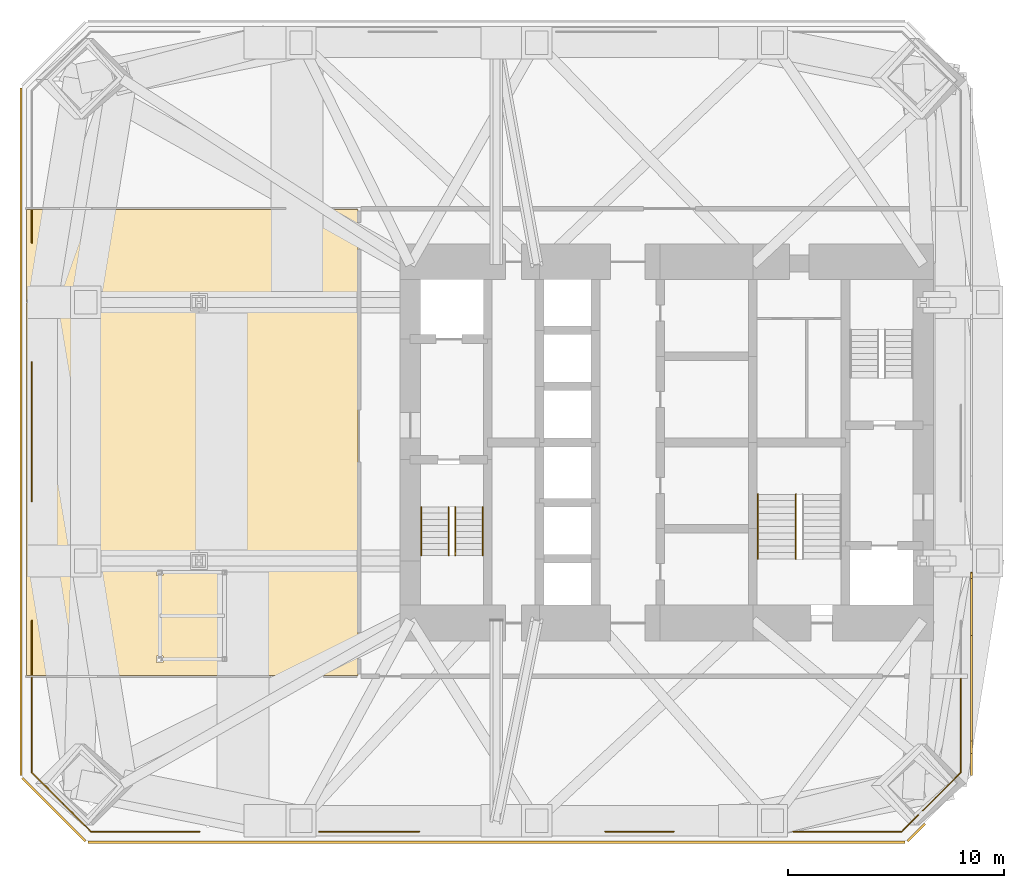
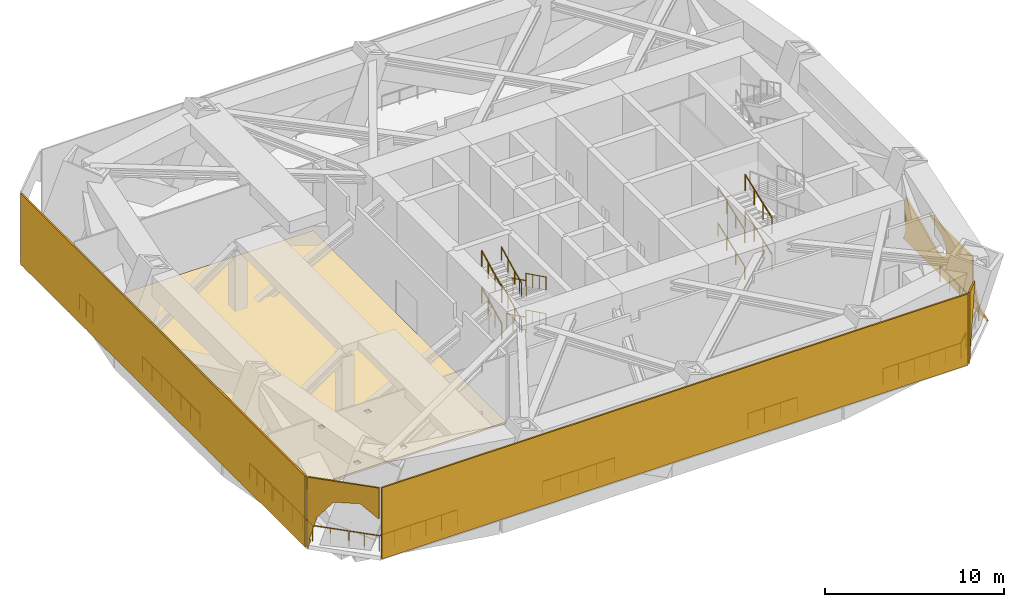
# One storey, part 7 of 8: 25 railings, 5 shading devices, 1 covering.
"""IFC4 building model written with IfcOpenShell, lengths in metres."""

from ifc_helpers import new_model, si_unit, direction, frame, origin, origin_2d, place, context, subcontext, project, spatial, polyline, rectangle, circle, outline, extrude, material, layer, layer_set, constituent, constituent_set, type_object, element, save


model = new_model("IFC4")

# Units and contexts
model_context = context("Model", 3, precision=1e-05, world=origin(), true_north=direction((0.0, 1.0)))
body_context = subcontext(model_context, "Body", "Model", "MODEL_VIEW")
ifc_project = project(units=[si_unit("LENGTHUNIT", "METRE"), si_unit("AREAUNIT", "SQUARE_METRE"), si_unit("VOLUMEUNIT", "CUBIC_METRE"), si_unit("PLANEANGLEUNIT", "RADIAN"), si_unit("MASSUNIT", "GRAM", prefix="KILO")], contexts=[model_context])

# Site, building, storey
site_placement = place(None, origin())
site = spatial("IfcSite", under=ifc_project, at=site_placement, CompositionType="ELEMENT")
building_placement = place(site_placement, origin())
building = spatial("IfcBuilding", under=site, at=building_placement, Name="Jalousie Tower", CompositionType="ELEMENT")
storey_placement = place(building_placement, frame((0.0, 0.0, 74.75)))
storey = spatial("IfcBuildingStorey", under=building, at=storey_placement, Name="L20", CompositionType="ELEMENT", Elevation=74.75)

# Covering
ifc_material_1 = material(Name="Sand-cement screed on resilient layer", Category="concrete")
ifc_layer_1 = layer(ifc_material_1, 0.1201171875)
ifc_layer_set_1 = layer_set([ifc_layer_1], Name="Sand-cement screed on resilient layer")
covering_type = type_object("IfcCoveringType", Name="FLOATING PLANT SCREED 120", PredefinedType="FLOORING", material=ifc_layer_set_1)
covering_placement = place(storey_placement, origin())
element("IfcCovering", 1, at=covering_placement, inside=storey, type_object=covering_type, Name="Floating screed Electrical plant room", PredefinedType="FLOORING", context=body_context, shape_type="SweptSolid", body=[
    extrude(outline(polyline([(17.574951171875, 7.699951171875), (2.199951171875, 7.699951171875), (2.199951171875, 29.300048828125), (17.574951171875, 29.300048828125), (17.574951171875, 7.699951171875)]), holes=[polyline([(8.237548828125, 8.300048828125), (8.53759765625, 8.300048828125), (8.53759765625, 8.60009765625), (8.237548828125, 8.60009765625), (8.237548828125, 8.300048828125)]), polyline([(11.237548828125, 8.300048828125), (11.53759765625, 8.300048828125), (11.53759765625, 8.60009765625), (11.237548828125, 8.60009765625), (11.237548828125, 8.300048828125)]), polyline([(8.237548828125, 12.320068359375), (8.53759765625, 12.320068359375), (8.53759765625, 12.6201171875), (8.237548828125, 12.6201171875), (8.237548828125, 12.320068359375)]), polyline([(11.237548828125, 12.320068359375), (11.53759765625, 12.320068359375), (11.53759765625, 12.6201171875), (11.237548828125, 12.6201171875), (11.237548828125, 12.320068359375)])]), origin(), (0.0, 0.0, 1.0), 0.1201171875),
])

# Railings
ifc_material_2 = material(Name="Stainless steel AISI 316", Category="steel")
railing_type_1 = type_object("IfcRailingType", Name="PLANT GUARDRAIL 1100", PredefinedType="GUARDRAIL", material=ifc_material_2)
railing_1_placement = place(storey_placement, frame((3.914794921875, 1.7216796875, 0.0)))
element("IfcRailing", 2, at=railing_1_placement, inside=storey, type_object=railing_type_1, Name="Plant floor guard L20 1", PredefinedType="GUARDRAIL", context=body_context, shape_type="SweptSolid", body=[
    extrude(rectangle(XDim=0.048095703125, YDim=0.048095703125, at=origin_2d()), frame((0.0, 0.0, 1.076171875), z_axis=(-0.707165709207, 0.707047848255, 0.0), x_axis=(-0.707047848255, -0.707165709207, 0.0)), (0.0, 0.0, 1.0), 2.071533203125),
    extrude(circle(Radius=0.02099609375, at=origin_2d()), origin(), (0.0, 0.0, 1.0), 1.052001953125),
    extrude(circle(Radius=0.02099609375, at=origin_2d()), frame((-0.732421875, 0.732421875, 0.0)), (0.0, 0.0, 1.0), 1.052001953125),
    extrude(circle(Radius=0.02099609375, at=origin_2d()), frame((-1.46484375, 1.464599609375, 0.0)), (0.0, 0.0, 1.0), 1.052001953125),
])
railing_2_placement = place(storey_placement, frame((5.186279296875, 0.449951171875, 0.0)))
element("IfcRailing", 3, at=railing_2_placement, inside=storey, type_object=railing_type_1, Name="Plant floor guard L20 2", PredefinedType="GUARDRAIL", context=body_context, shape_type="SweptSolid", body=[
    extrude(rectangle(XDim=0.048095703125, YDim=0.048095703125, at=origin_2d()), frame((0.0, 0.0, 1.076171875), z_axis=(-0.707106781187, 0.707106781187, 0.0), x_axis=(-0.707106781187, -0.707106781187, 0.0)), (0.0, 0.0, 1.0), 1.741455078125),
    extrude(circle(Radius=0.02099609375, at=origin_2d()), origin(), (0.0, 0.0, 1.0), 1.052001953125),
    extrude(circle(Radius=0.02099609375, at=origin_2d()), frame((-0.61572265625, 0.61572265625, 0.0)), (0.0, 0.0, 1.0), 1.052001953125),
    extrude(circle(Radius=0.02099609375, at=origin_2d()), frame((-1.2314453125, 1.2314453125, 0.0)), (0.0, 0.0, 1.0), 1.052001953125),
])
railing_3_placement = place(storey_placement, frame((2.449951171875, 3.186279296875, 0.0)))
element("IfcRailing", 4, at=railing_3_placement, inside=storey, type_object=railing_type_1, Name="Plant floor guard L20 3", PredefinedType="GUARDRAIL", context=body_context, shape_type="SweptSolid", body=[
    extrude(rectangle(XDim=0.048095703125, YDim=0.048095703125, at=origin_2d()), frame((0.0, 0.0, 1.076171875), z_axis=(0.0, 1.0, 0.0), x_axis=(-1.0, 0.0, 0.0)), (0.0, 0.0, 1.0), 4.393798828125),
    extrude(circle(Radius=0.02099609375, at=origin_2d()), origin(), (0.0, 0.0, 1.0), 1.052001953125),
    extrude(circle(Radius=0.02099609375, at=origin_2d()), frame((0.0, 1.098388671875, 0.0)), (0.0, 0.0, 1.0), 1.052001953125),
    extrude(circle(Radius=0.02099609375, at=origin_2d()), frame((0.0, 2.19677734375, 0.0)), (0.0, 0.0, 1.0), 1.052001953125),
    extrude(circle(Radius=0.02099609375, at=origin_2d()), frame((0.0, 3.29541015625, 0.0)), (0.0, 0.0, 1.0), 1.052001953125),
    extrude(circle(Radius=0.02099609375, at=origin_2d()), frame((0.0, 4.393798828125, 0.0)), (0.0, 0.0, 1.0), 1.052001953125),
])
railing_4_placement = place(storey_placement, frame((2.449951171875, 7.719970703125, 0.0)))
element("IfcRailing", 5, at=railing_4_placement, inside=storey, type_object=railing_type_1, Name="Plant floor guard L20 4", PredefinedType="GUARDRAIL", context=body_context, shape_type="SweptSolid", body=[
    extrude(rectangle(XDim=0.048095703125, YDim=0.048095703125, at=origin_2d()), frame((0.0, 0.0, 1.076171875), z_axis=(0.0, 1.0, 0.0), x_axis=(-1.0, 0.0, 0.0)), (0.0, 0.0, 1.0), 2.510009765625),
    extrude(circle(Radius=0.02099609375, at=origin_2d()), origin(), (0.0, 0.0, 1.0), 1.052001953125),
    extrude(circle(Radius=0.02099609375, at=origin_2d()), frame((0.0, 0.836669921875, 0.0)), (0.0, 0.0, 1.0), 1.052001953125),
    extrude(circle(Radius=0.02099609375, at=origin_2d()), frame((0.0, 1.67333984375, 0.0)), (0.0, 0.0, 1.0), 1.052001953125),
    extrude(circle(Radius=0.02099609375, at=origin_2d()), frame((0.0, 2.510009765625, 0.0)), (0.0, 0.0, 1.0), 1.052001953125),
])
railing_5_placement = place(storey_placement, frame((2.449951171875, 15.77001953125, 0.0)))
element("IfcRailing", 6, at=railing_5_placement, inside=storey, type_object=railing_type_1, Name="Plant floor guard L20 5", PredefinedType="GUARDRAIL", context=body_context, shape_type="SweptSolid", body=[
    extrude(rectangle(XDim=0.048095703125, YDim=0.048095703125, at=origin_2d()), frame((0.0, 0.0, 1.076171875), z_axis=(0.0, 1.0, 0.0), x_axis=(-1.0, 0.0, 0.0)), (0.0, 0.0, 1.0), 6.4599609375),
    extrude(circle(Radius=0.02099609375, at=origin_2d()), origin(), (0.0, 0.0, 1.0), 1.052001953125),
    extrude(circle(Radius=0.02099609375, at=origin_2d()), frame((0.0, 1.07666015625, 0.0)), (0.0, 0.0, 1.0), 1.052001953125),
    extrude(circle(Radius=0.02099609375, at=origin_2d()), frame((0.0, 2.1533203125, 0.0)), (0.0, 0.0, 1.0), 1.052001953125),
    extrude(circle(Radius=0.02099609375, at=origin_2d()), frame((0.0, 3.22998046875, 0.0)), (0.0, 0.0, 1.0), 1.052001953125),
    extrude(circle(Radius=0.02099609375, at=origin_2d()), frame((0.0, 4.306640625, 0.0)), (0.0, 0.0, 1.0), 1.052001953125),
    extrude(circle(Radius=0.02099609375, at=origin_2d()), frame((0.0, 5.38330078125, 0.0)), (0.0, 0.0, 1.0), 1.052001953125),
    extrude(circle(Radius=0.02099609375, at=origin_2d()), frame((0.0, 6.4599609375, 0.0)), (0.0, 0.0, 1.0), 1.052001953125),
])
railing_6_placement = place(storey_placement, frame((2.449951171875, 27.77001953125, 0.0)))
element("IfcRailing", 7, at=railing_6_placement, inside=storey, type_object=railing_type_1, Name="Plant floor guard L20 6", PredefinedType="GUARDRAIL", context=body_context, shape_type="SweptSolid", body=[
    extrude(rectangle(XDim=0.048095703125, YDim=0.048095703125, at=origin_2d()), frame((0.0, 0.0, 1.076171875), z_axis=(0.0, 1.0, 0.0), x_axis=(-1.0, 0.0, 0.0)), (0.0, 0.0, 1.0), 1.510009765625),
    extrude(circle(Radius=0.02099609375, at=origin_2d()), origin(), (0.0, 0.0, 1.0), 1.052001953125),
    extrude(circle(Radius=0.02099609375, at=origin_2d()), frame((0.0, 0.7548828125, 0.0)), (0.0, 0.0, 1.0), 1.052001953125),
    extrude(circle(Radius=0.02099609375, at=origin_2d()), frame((0.0, 1.510009765625, 0.0)), (0.0, 0.0, 1.0), 1.052001953125),
])
railing_7_placement = place(storey_placement, frame((45.550048828125, 7.530029296875, 0.0)))
element("IfcRailing", 8, at=railing_7_placement, inside=storey, type_object=railing_type_1, Name="Plant floor guard L20 16", PredefinedType="GUARDRAIL", context=body_context, shape_type="SweptSolid", body=[
    extrude(rectangle(XDim=0.048095703125, YDim=0.048095703125, at=origin_2d()), frame((0.0, 0.0, 1.076171875), z_axis=(0.0, -1.0, 0.0), x_axis=(1.0, 0.0, 0.0)), (0.0, 0.0, 1.0), 4.34375),
    extrude(circle(Radius=0.02099609375, at=origin_2d()), origin(), (0.0, 0.0, 1.0), 1.052001953125),
    extrude(circle(Radius=0.02099609375, at=origin_2d()), frame((0.0, -1.0859375, 0.0)), (0.0, 0.0, 1.0), 1.052001953125),
    extrude(circle(Radius=0.02099609375, at=origin_2d()), frame((0.0, -2.171875, 0.0)), (0.0, 0.0, 1.0), 1.052001953125),
    extrude(circle(Radius=0.02099609375, at=origin_2d()), frame((0.0, -3.2578125, 0.0)), (0.0, 0.0, 1.0), 1.052001953125),
    extrude(circle(Radius=0.02099609375, at=origin_2d()), frame((0.0, -4.34375, 0.0)), (0.0, 0.0, 1.0), 1.052001953125),
])
railing_8_placement = place(storey_placement, frame((43.574951171875, 1.21142578125, 0.0)))
element("IfcRailing", 9, at=railing_8_placement, inside=storey, type_object=railing_type_1, Name="Plant floor guard L20 20", PredefinedType="GUARDRAIL", context=body_context, shape_type="SweptSolid", body=[
    extrude(rectangle(XDim=0.048095703125, YDim=0.048095703125, at=origin_2d()), frame((0.0, 0.0, 1.076171875), z_axis=(-0.706993399199, -0.707220144997, 0.0), x_axis=(0.707220144997, -0.706993399199, 0.0)), (0.0, 0.0, 1.0), 1.07666015625),
    extrude(circle(Radius=0.02099609375, at=origin_2d()), origin(), (0.0, 0.0, 1.0), 1.052001953125),
    extrude(circle(Radius=0.02099609375, at=origin_2d()), frame((-0.76123046875, -0.761474609375, 0.0)), (0.0, 0.0, 1.0), 1.052001953125),
])
railing_9_placement = place(storey_placement, frame((45.550048828125, 3.186279296875, 0.0)))
element("IfcRailing", 10, at=railing_9_placement, inside=storey, type_object=railing_type_1, Name="Plant floor guard L20 21", PredefinedType="GUARDRAIL", context=body_context, shape_type="SweptSolid", body=[
    extrude(rectangle(XDim=0.048095703125, YDim=0.048095703125, at=origin_2d()), frame((0.0, 0.0, 1.076171875), z_axis=(-0.70715585345, -0.707057705517, 0.0), x_axis=(0.707057705517, -0.70715585345, 0.0)), (0.0, 0.0, 1.0), 2.487548828125),
    extrude(circle(Radius=0.02099609375, at=origin_2d()), origin(), (0.0, 0.0, 1.0), 1.052001953125),
    extrude(circle(Radius=0.02099609375, at=origin_2d()), frame((-0.58642578125, -0.586181640625, 0.0)), (0.0, 0.0, 1.0), 1.052001953125),
    extrude(circle(Radius=0.02099609375, at=origin_2d()), frame((-1.172607421875, -1.172607421875, 0.0)), (0.0, 0.0, 1.0), 1.052001953125),
    extrude(circle(Radius=0.02099609375, at=origin_2d()), frame((-1.759033203125, -1.7587890625, 0.0)), (0.0, 0.0, 1.0), 1.052001953125),
])
railing_10_placement = place(storey_placement, frame((10.22998046875, 0.449951171875, 0.0)))
element("IfcRailing", 11, at=railing_10_placement, inside=storey, type_object=railing_type_1, Name="Plant floor guard L20 22", PredefinedType="GUARDRAIL", context=body_context, shape_type="SweptSolid", body=[
    extrude(rectangle(XDim=0.048095703125, YDim=0.048095703125, at=origin_2d()), frame((0.0, 0.0, 1.076171875), z_axis=(-1.0, 0.0, 0.0), x_axis=(0.0, -1.0, 0.0)), (0.0, 0.0, 1.0), 5.043701171875),
    extrude(circle(Radius=0.02099609375, at=origin_2d()), origin(), (0.0, 0.0, 1.0), 1.052001953125),
    extrude(circle(Radius=0.02099609375, at=origin_2d()), frame((-1.0087890625, 0.0, 0.0)), (0.0, 0.0, 1.0), 1.052001953125),
    extrude(circle(Radius=0.02099609375, at=origin_2d()), frame((-2.017578125, 0.0, 0.0)), (0.0, 0.0, 1.0), 1.052001953125),
    extrude(circle(Radius=0.02099609375, at=origin_2d()), frame((-3.026123046875, 0.0, 0.0)), (0.0, 0.0, 1.0), 1.052001953125),
    extrude(circle(Radius=0.02099609375, at=origin_2d()), frame((-4.034912109375, 0.0, 0.0)), (0.0, 0.0, 1.0), 1.052001953125),
    extrude(circle(Radius=0.02099609375, at=origin_2d()), frame((-5.043701171875, 0.0, 0.0)), (0.0, 0.0, 1.0), 1.052001953125),
])
railing_11_placement = place(storey_placement, frame((20.427978515625, 0.449951171875, 0.0)))
element("IfcRailing", 12, at=railing_11_placement, inside=storey, type_object=railing_type_1, Name="Plant floor guard L20 23", PredefinedType="GUARDRAIL", context=body_context, shape_type="SweptSolid", body=[
    extrude(rectangle(XDim=0.048095703125, YDim=0.048095703125, at=origin_2d()), frame((0.0, 0.0, 1.076171875), z_axis=(-1.0, 0.0, 0.0), x_axis=(0.0, -1.0, 0.0)), (0.0, 0.0, 1.0), 4.657958984375),
    extrude(circle(Radius=0.02099609375, at=origin_2d()), origin(), (0.0, 0.0, 1.0), 1.052001953125),
    extrude(circle(Radius=0.02099609375, at=origin_2d()), frame((-1.16455078125, 0.0, 0.0)), (0.0, 0.0, 1.0), 1.052001953125),
    extrude(circle(Radius=0.02099609375, at=origin_2d()), frame((-2.3291015625, 0.0, 0.0)), (0.0, 0.0, 1.0), 1.052001953125),
    extrude(circle(Radius=0.02099609375, at=origin_2d()), frame((-3.493408203125, 0.0, 0.0)), (0.0, 0.0, 1.0), 1.052001953125),
    extrude(circle(Radius=0.02099609375, at=origin_2d()), frame((-4.657958984375, 0.0, 0.0)), (0.0, 0.0, 1.0), 1.052001953125),
])
railing_12_placement = place(storey_placement, frame((32.22998046875, 0.449951171875, 0.0)))
element("IfcRailing", 13, at=railing_12_placement, inside=storey, type_object=railing_type_1, Name="Plant floor guard L20 24", PredefinedType="GUARDRAIL", context=body_context, shape_type="SweptSolid", body=[
    extrude(rectangle(XDim=0.048095703125, YDim=0.048095703125, at=origin_2d()), frame((0.0, 0.0, 1.076171875), z_axis=(-1.0, 0.0, 0.0), x_axis=(0.0, -1.0, 0.0)), (0.0, 0.0, 1.0), 3.188232421875),
    extrude(circle(Radius=0.02099609375, at=origin_2d()), origin(), (0.0, 0.0, 1.0), 1.052001953125),
    extrude(circle(Radius=0.02099609375, at=origin_2d()), frame((-1.062744140625, 0.0, 0.0)), (0.0, 0.0, 1.0), 1.052001953125),
    extrude(circle(Radius=0.02099609375, at=origin_2d()), frame((-2.12548828125, 0.0, 0.0)), (0.0, 0.0, 1.0), 1.052001953125),
    extrude(circle(Radius=0.02099609375, at=origin_2d()), frame((-3.188232421875, 0.0, 0.0)), (0.0, 0.0, 1.0), 1.052001953125),
])
railing_13_placement = place(storey_placement, frame((42.813720703125, 0.449951171875, 0.0)))
element("IfcRailing", 14, at=railing_13_placement, inside=storey, type_object=railing_type_1, Name="Plant floor guard L20 25", PredefinedType="GUARDRAIL", context=body_context, shape_type="SweptSolid", body=[
    extrude(rectangle(XDim=0.048095703125, YDim=0.048095703125, at=origin_2d()), frame((0.0, 0.0, 1.076171875), z_axis=(-1.0, 0.0, 0.0), x_axis=(0.0, -1.0, 0.0)), (0.0, 0.0, 1.0), 5.043701171875),
    extrude(circle(Radius=0.02099609375, at=origin_2d()), origin(), (0.0, 0.0, 1.0), 1.052001953125),
    extrude(circle(Radius=0.02099609375, at=origin_2d()), frame((-1.0087890625, 0.0, 0.0)), (0.0, 0.0, 1.0), 1.052001953125),
    extrude(circle(Radius=0.02099609375, at=origin_2d()), frame((-2.017578125, 0.0, 0.0)), (0.0, 0.0, 1.0), 1.052001953125),
    extrude(circle(Radius=0.02099609375, at=origin_2d()), frame((-3.026123046875, 0.0, 0.0)), (0.0, 0.0, 1.0), 1.052001953125),
    extrude(circle(Radius=0.02099609375, at=origin_2d()), frame((-4.034912109375, 0.0, 0.0)), (0.0, 0.0, 1.0), 1.052001953125),
    extrude(circle(Radius=0.02099609375, at=origin_2d()), frame((-5.043701171875, 0.0, 0.0)), (0.0, 0.0, 1.0), 1.052001953125),
])

# Shading devices
ifc_material_3 = material(Name="Aluminium storm louvres", Category="aluminium")
ifc_layer_2 = layer(ifc_material_3, 0.10009765625)
ifc_layer_set_2 = layer_set([ifc_layer_2], Name="Aluminium storm louvres")
shading_device_type = type_object("IfcShadingDeviceType", Name="PLANT LOUVRE SCREEN", PredefinedType="JALOUSIE", material=ifc_layer_set_2)
shading_device_1_placement = place(storey_placement, frame((42.949951171875, -0.10009765625, -0.14990234375), z_axis=(0.0, -1.0, 0.0), x_axis=(0.0, 0.0, 1.0)))
element("IfcShadingDevice", 15, at=shading_device_1_placement, inside=storey, type_object=shading_device_type, Name="Plant louvre screen L20 1", PredefinedType="JALOUSIE", context=body_context, shape_type="SweptSolid", body=[
    extrude(outline(polyline([(0.0, 0.0), (4.869873046875, 0.0), (4.869873046875, 37.89990234375), (0.0, 37.89990234375), (0.0, 0.0)])), origin(), (0.0, 0.0, -1.0), 0.10009765625),
])
shading_device_2_placement = place(storey_placement, frame((43.106201171875, -0.035400390625, -0.14990234375), z_axis=(0.707117803607, -0.707095758592, -1.897769e-06), x_axis=(0.707095758593, 0.707117803608, 3e-11)))
element("IfcShadingDevice", 16, at=shading_device_2_placement, inside=storey, type_object=shading_device_type, Name="Plant louvre screen L20 2", PredefinedType="JALOUSIE", context=body_context, shape_type="SweptSolid", body=[
    extrude(outline(polyline([(0.0, 0.0), (0.04143203795511546, -6.617444900424222e-24), (0.041432037959549986, 0.1499023437497301), (0.13896996334356243, 0.3854980465466874), (0.10081795904297906, 0.6376953124988518), (1.148357985466681, 4.869873046866232), (1.4406431150611207e-10, 4.869873046866232), (0.0, 0.0)])), origin(), (0.0, 0.0, -1.0), 0.10009765625),
])
shading_device_3_placement = place(storey_placement, frame((46.10009765625, 3.050048828125, -0.14990234375), z_axis=(1.0, 0.0, 0.0), x_axis=(0.0, 1.0, 0.0)))
element("IfcShadingDevice", 17, at=shading_device_3_placement, inside=storey, type_object=shading_device_type, Name="Plant louvre screen L20 3", PredefinedType="JALOUSIE", context=body_context, shape_type="SweptSolid", body=[
    extrude(outline(polyline([(0.0, 0.0), (0.161376953125, 0.0), (0.30126953125, 0.063720703125), (0.441162109375, 0.0), (4.9111328125, 0.0), (5.05078125, 0.063720703125), (5.190673828125, 0.0), (9.43701171875, 0.0), (9.38427734375, 0.021728515625), (9.14990234375, 0.58740234375), (9.14990234375, 2.981689453125), (5.594970703125, 1.36328125), (5.021240234375, 1.343505859375), (4.6015625, 1.735107421875), (4.58154296875, 2.308837890625), (4.973388671875, 2.728515625), (6.4921875, 3.419921875), (1.611328125, 3.419921875), (1.611328125, 1.89990234375), (1.016845703125, 0.464599609375), (0.0, 0.04345703125), (0.0, 0.0)])), origin(), (0.0, 0.0, -1.0), 0.10009765625),
])
shading_device_4_placement = place(storey_placement, frame((1.89990234375, 34.949951171875, -0.14990234375), z_axis=(-1.0, 0.0, 0.0), x_axis=(0.0, -1.0, 0.0)))
element("IfcShadingDevice", 18, at=shading_device_4_placement, inside=storey, type_object=shading_device_type, Name="Plant louvre screen L20 10", PredefinedType="JALOUSIE", context=body_context, shape_type="SweptSolid", body=[
    extrude(outline(polyline([(0.0, 0.0), (0.161376953125, 0.0), (0.30126953125, 0.063720703125), (0.441162109375, 0.0), (5.360107421875, 0.0), (5.5, 0.063720703125), (5.6396484375, 0.0), (7.26025390625, 0.0), (7.39990234375, 0.063720703125), (7.539794921875, 0.0), (12.31005859375, 0.0), (12.449951171875, 0.063720703125), (12.58984375, 0.0), (16.76025390625, 0.0), (16.89990234375, 0.063720703125), (17.039794921875, 0.0), (20.61328125, 0.0), (20.7529296875, 0.063720703125), (20.892822265625, 0.0), (24.466552734375, 0.0), (24.606201171875, 0.063720703125), (24.74609375, 0.0), (27.26025390625, 0.0), (27.39990234375, 0.063720703125), (27.539794921875, 0.0), (31.458740234375, 0.0), (31.5986328125, 0.063720703125), (31.738525390625, 0.0), (31.89990234375, 0.0), (31.89990234375, 4.869873046875), (0.0, 4.869873046875), (0.0, 0.0)])), origin(), (0.0, 0.0, -1.0), 0.10009765625),
])
shading_device_5_placement = place(storey_placement, frame((1.964599609375, 2.893798828125, -0.14990234375), z_axis=(-0.707067934515, -0.707145625438, -2.0138063e-05), x_axis=(0.707145625581, -0.707067934658, 1.106e-09)))
element("IfcShadingDevice", 19, at=shading_device_5_placement, inside=storey, type_object=shading_device_type, Name="Plant louvre screen L20 11", PredefinedType="JALOUSIE", context=body_context, shape_type="SweptSolid", body=[
    extrude(outline(polyline([(0.0, 0.0), (0.04143203789762957, 0.0), (0.04143203806346656, 0.1499023437196042), (0.15174484874433183, 0.41625976206409054), (0.11790868477781648, 0.7023925745060712), (0.5422418079054896, 2.2023925742019155), (1.5050187804167452, 3.4216308586811937), (3.048016925321915, 3.6032714836443622), (4.142513258828169, 2.7390136713196083), (4.142513261185538, 4.869873045887532), (5.387541473962044e-09, 4.869873045887532), (0.0, 0.0)])), origin(), (0.0, 0.0, -1.0), 0.10009765625),
])

# Railings
ifc_material_4 = material(Name="Steel ASTM A500 Grade C", Category="steel")
ifc_constituent_1 = constituent(ifc_material_4, Name="Body")
ifc_material_5 = material(Name="Hot-dip galvanised zinc coating")
ifc_constituent_2 = constituent(ifc_material_5, Name="Finish")
ifc_constituent_set_1 = constituent_set(constituents=[ifc_constituent_1, ifc_constituent_2])
railing_type_2 = type_object("IfcRailingType", Name="STAIR GUARD 1100", PredefinedType="GUARDRAIL", material=ifc_constituent_set_1)
railing_14_placement = place(storey_placement, frame((22.092529296875, 15.49755859375, 0.138916015625)))
element("IfcRailing", 20, at=railing_14_placement, inside=storey, type_object=railing_type_2, Name="Exit stair A guard L20 flight 1", PredefinedType="GUARDRAIL", context=body_context, shape_type="SweptSolid", body=[
    extrude(rectangle(XDim=0.048095703125, YDim=0.048095703125, at=origin_2d()), frame((0.0, 0.0, 1.076171875), z_axis=(0.0, -0.895848192791, 0.444360231651), x_axis=(1.0, 0.0, 0.0)), (0.0, 0.0, 1.0), 2.50048828125),
    extrude(circle(Radius=0.02099609375, at=origin_2d()), origin(), (0.0, 0.0, 1.0), 1.052001953125),
    extrude(circle(Radius=0.02099609375, at=origin_2d()), frame((0.0, -0.74658203125, 0.370361328125)), (0.0, 0.0, 1.0), 1.052001953125),
    extrude(circle(Radius=0.02099609375, at=origin_2d()), frame((0.0, -1.493408203125, 0.74072265625)), (0.0, 0.0, 1.0), 1.052001953125),
    extrude(circle(Radius=0.02099609375, at=origin_2d()), frame((0.0, -2.239990234375, 1.111083984375)), (0.0, 0.0, 1.0), 1.052001953125),
])
railing_15_placement = place(storey_placement, frame((20.5048828125, 13.257568359375, 1.388916015625)))
element("IfcRailing", 21, at=railing_15_placement, inside=storey, type_object=railing_type_2, Name="Exit stair A guard L20 flight 2", PredefinedType="GUARDRAIL", context=body_context, shape_type="SweptSolid", body=[
    extrude(rectangle(XDim=0.048095703125, YDim=0.048095703125, at=origin_2d()), frame((0.0, 0.0, 1.076171875), z_axis=(0.0, 0.895848192791, 0.444360231651), x_axis=(-1.0, 0.0, 0.0)), (0.0, 0.0, 1.0), 2.50048828125),
    extrude(circle(Radius=0.02099609375, at=origin_2d()), origin(), (0.0, 0.0, 1.0), 1.052001953125),
    extrude(circle(Radius=0.02099609375, at=origin_2d()), frame((0.0, 0.74658203125, 0.370361328125)), (0.0, 0.0, 1.0), 1.052001953125),
    extrude(circle(Radius=0.02099609375, at=origin_2d()), frame((0.0, 1.493408203125, 0.74072265625)), (0.0, 0.0, 1.0), 1.052001953125),
    extrude(circle(Radius=0.02099609375, at=origin_2d()), frame((0.0, 2.239990234375, 1.111083984375)), (0.0, 0.0, 1.0), 1.052001953125),
])
railing_16_placement = place(storey_placement, frame((22.092529296875, 15.49755859375, 2.638916015625)))
element("IfcRailing", 22, at=railing_16_placement, inside=storey, type_object=railing_type_2, Name="Exit stair A guard L20 flight 3", PredefinedType="GUARDRAIL", context=body_context, shape_type="SweptSolid", body=[
    extrude(rectangle(XDim=0.048095703125, YDim=0.048095703125, at=origin_2d()), frame((0.0, 0.0, 1.076171875), z_axis=(0.0, -0.895848192791, 0.444360231651), x_axis=(1.0, 0.0, 0.0)), (0.0, 0.0, 1.0), 2.50048828125),
    extrude(circle(Radius=0.02099609375, at=origin_2d()), origin(), (0.0, 0.0, 1.0), 1.052001953125),
    extrude(circle(Radius=0.02099609375, at=origin_2d()), frame((0.0, -0.74658203125, 0.370361328125)), (0.0, 0.0, 1.0), 1.052001953125),
    extrude(circle(Radius=0.02099609375, at=origin_2d()), frame((0.0, -1.493408203125, 0.74072265625)), (0.0, 0.0, 1.0), 1.052001953125),
    extrude(circle(Radius=0.02099609375, at=origin_2d()), frame((0.0, -2.239990234375, 1.111083984375)), (0.0, 0.0, 1.0), 1.052001953125),
])
railing_17_placement = place(storey_placement, frame((20.5048828125, 13.257568359375, 3.888916015625)))
element("IfcRailing", 23, at=railing_17_placement, inside=storey, type_object=railing_type_2, Name="Exit stair A guard L20 flight 4", PredefinedType="GUARDRAIL", context=body_context, shape_type="SweptSolid", body=[
    extrude(rectangle(XDim=0.048095703125, YDim=0.048095703125, at=origin_2d()), frame((0.0, 0.0, 1.076171875), z_axis=(0.0, 0.895848192791, 0.444360231651), x_axis=(-1.0, 0.0, 0.0)), (0.0, 0.0, 1.0), 2.50048828125),
    extrude(circle(Radius=0.02099609375, at=origin_2d()), origin(), (0.0, 0.0, 1.0), 1.052001953125),
    extrude(circle(Radius=0.02099609375, at=origin_2d()), frame((0.0, 0.74658203125, 0.370361328125)), (0.0, 0.0, 1.0), 1.052001953125),
    extrude(circle(Radius=0.02099609375, at=origin_2d()), frame((0.0, 1.493408203125, 0.74072265625)), (0.0, 0.0, 1.0), 1.052001953125),
    extrude(circle(Radius=0.02099609375, at=origin_2d()), frame((0.0, 2.239990234375, 1.111083984375)), (0.0, 0.0, 1.0), 1.052001953125),
])
for number, where, name in (
    (24, (37.89501953125, 13.097412109375, 0.113525390625), "Exit stair C guard L20 flight 1"),
    (25, (37.89501953125, 13.097412109375, 2.613525390625), "Exit stair C guard L20 flight 3"),
):
    element("IfcRailing", number, at=place(storey_placement, frame(where)), inside=storey, type_object=railing_type_2, Name=name, PredefinedType="GUARDRAIL", context=body_context, shape_type="SweptSolid", body=[
        extrude(rectangle(XDim=0.048095703125, YDim=0.048095703125, at=origin_2d()), frame((0.0, 0.0, 1.076171875), z_axis=(0.0, 0.935147985876, 0.354257313985), x_axis=(-1.0, 0.0, 0.0)), (0.0, 0.0, 1.0), 3.2080078125),
        extrude(circle(Radius=0.02099609375, at=origin_2d()), origin(), (0.0, 0.0, 1.0), 1.052001953125),
        extrude(circle(Radius=0.02099609375, at=origin_2d()), frame((0.0, 1.0, 0.37890625)), (0.0, 0.0, 1.0), 1.052001953125),
        extrude(circle(Radius=0.02099609375, at=origin_2d()), frame((0.0, 2.0, 0.757568359375)), (0.0, 0.0, 1.0), 1.052001953125),
        extrude(circle(Radius=0.02099609375, at=origin_2d()), frame((0.0, 3.0, 1.136474609375)), (0.0, 0.0, 1.0), 1.052001953125),
    ])
ifc_material_6 = material(Name="Steel ASTM A500 Grade C", Category="steel")
ifc_constituent_3 = constituent(ifc_material_6, Name="Body")
ifc_material_7 = material(Name="Hot-dip galvanised zinc coating")
ifc_constituent_4 = constituent(ifc_material_7, Name="Finish")
ifc_constituent_set_2 = constituent_set(constituents=[ifc_constituent_3, ifc_constituent_4])
railing_type_3 = type_object("IfcRailingType", Name="STAIR HANDRAIL 900", PredefinedType="HANDRAIL", material=ifc_constituent_set_2)
railing_18_placement = place(storey_placement, frame((23.3701171875, 15.49755859375, 0.138916015625)))
element("IfcRailing", 26, at=railing_18_placement, inside=storey, type_object=railing_type_3, Name="Exit stair A handrail L20 flight 1", PredefinedType="HANDRAIL", context=body_context, shape_type="SweptSolid", body=[
    extrude(circle(Radius=0.02392578125, at=origin_2d()), frame((0.0, 0.0, 0.8759765625), z_axis=(0.0, -0.895848192791, 0.444360231651), x_axis=(1.0, 0.0, 0.0)), (0.0, 0.0, 1.0), 2.50048828125),
    extrude(circle(Radius=0.02099609375, at=origin_2d()), origin(), (0.0, 0.0, 1.0), 0.851806640625),
    extrude(circle(Radius=0.02099609375, at=origin_2d()), frame((0.0, -0.74658203125, 0.370361328125)), (0.0, 0.0, 1.0), 0.851806640625),
    extrude(circle(Radius=0.02099609375, at=origin_2d()), frame((0.0, -1.493408203125, 0.74072265625)), (0.0, 0.0, 1.0), 0.851806640625),
    extrude(circle(Radius=0.02099609375, at=origin_2d()), frame((0.0, -2.239990234375, 1.111083984375)), (0.0, 0.0, 1.0), 0.851806640625),
])
railing_19_placement = place(storey_placement, frame((21.78271484375, 13.257568359375, 1.388916015625)))
element("IfcRailing", 27, at=railing_19_placement, inside=storey, type_object=railing_type_3, Name="Exit stair A handrail L20 flight 2", PredefinedType="HANDRAIL", context=body_context, shape_type="SweptSolid", body=[
    extrude(circle(Radius=0.02392578125, at=origin_2d()), frame((0.0, 0.0, 0.8759765625), z_axis=(0.0, 0.895848192791, 0.444360231651), x_axis=(-1.0, 0.0, 0.0)), (0.0, 0.0, 1.0), 2.50048828125),
    extrude(circle(Radius=0.02099609375, at=origin_2d()), origin(), (0.0, 0.0, 1.0), 0.851806640625),
    extrude(circle(Radius=0.02099609375, at=origin_2d()), frame((0.0, 0.74658203125, 0.370361328125)), (0.0, 0.0, 1.0), 0.851806640625),
    extrude(circle(Radius=0.02099609375, at=origin_2d()), frame((0.0, 1.493408203125, 0.74072265625)), (0.0, 0.0, 1.0), 0.851806640625),
    extrude(circle(Radius=0.02099609375, at=origin_2d()), frame((0.0, 2.239990234375, 1.111083984375)), (0.0, 0.0, 1.0), 0.851806640625),
])
railing_20_placement = place(storey_placement, frame((23.3701171875, 15.49755859375, 2.638916015625)))
element("IfcRailing", 28, at=railing_20_placement, inside=storey, type_object=railing_type_3, Name="Exit stair A handrail L20 flight 3", PredefinedType="HANDRAIL", context=body_context, shape_type="SweptSolid", body=[
    extrude(circle(Radius=0.02392578125, at=origin_2d()), frame((0.0, 0.0, 0.8759765625), z_axis=(0.0, -0.895848192791, 0.444360231651), x_axis=(1.0, 0.0, 0.0)), (0.0, 0.0, 1.0), 2.50048828125),
    extrude(circle(Radius=0.02099609375, at=origin_2d()), origin(), (0.0, 0.0, 1.0), 0.851806640625),
    extrude(circle(Radius=0.02099609375, at=origin_2d()), frame((0.0, -0.74658203125, 0.370361328125)), (0.0, 0.0, 1.0), 0.851806640625),
    extrude(circle(Radius=0.02099609375, at=origin_2d()), frame((0.0, -1.493408203125, 0.74072265625)), (0.0, 0.0, 1.0), 0.851806640625),
    extrude(circle(Radius=0.02099609375, at=origin_2d()), frame((0.0, -2.239990234375, 1.111083984375)), (0.0, 0.0, 1.0), 0.851806640625),
])
railing_21_placement = place(storey_placement, frame((21.78271484375, 13.257568359375, 3.888916015625)))
element("IfcRailing", 29, at=railing_21_placement, inside=storey, type_object=railing_type_3, Name="Exit stair A handrail L20 flight 4", PredefinedType="HANDRAIL", context=body_context, shape_type="SweptSolid", body=[
    extrude(circle(Radius=0.02392578125, at=origin_2d()), frame((0.0, 0.0, 0.8759765625), z_axis=(0.0, 0.895848192791, 0.444360231651), x_axis=(-1.0, 0.0, 0.0)), (0.0, 0.0, 1.0), 2.50048828125),
    extrude(circle(Radius=0.02099609375, at=origin_2d()), origin(), (0.0, 0.0, 1.0), 0.851806640625),
    extrude(circle(Radius=0.02099609375, at=origin_2d()), frame((0.0, 0.74658203125, 0.370361328125)), (0.0, 0.0, 1.0), 0.851806640625),
    extrude(circle(Radius=0.02099609375, at=origin_2d()), frame((0.0, 1.493408203125, 0.74072265625)), (0.0, 0.0, 1.0), 0.851806640625),
    extrude(circle(Radius=0.02099609375, at=origin_2d()), frame((0.0, 2.239990234375, 1.111083984375)), (0.0, 0.0, 1.0), 0.851806640625),
])
for number, where, name in (
    (30, (36.1298828125, 13.097412109375, 0.113525390625), "Exit stair C handrail L20 flight 1"),
    (31, (36.1298828125, 13.097412109375, 2.613525390625), "Exit stair C handrail L20 flight 3"),
):
    element("IfcRailing", number, at=place(storey_placement, frame(where)), inside=storey, type_object=railing_type_3, Name=name, PredefinedType="HANDRAIL", context=body_context, shape_type="SweptSolid", body=[
        extrude(circle(Radius=0.02392578125, at=origin_2d()), frame((0.0, 0.0, 0.8759765625), z_axis=(0.0, 0.935147985876, 0.354257313985), x_axis=(-1.0, 0.0, 0.0)), (0.0, 0.0, 1.0), 3.2080078125),
        extrude(circle(Radius=0.02099609375, at=origin_2d()), origin(), (0.0, 0.0, 1.0), 0.851806640625),
        extrude(circle(Radius=0.02099609375, at=origin_2d()), frame((0.0, 1.0, 0.37890625)), (0.0, 0.0, 1.0), 0.851806640625),
        extrude(circle(Radius=0.02099609375, at=origin_2d()), frame((0.0, 2.0, 0.757568359375)), (0.0, 0.0, 1.0), 0.851806640625),
        extrude(circle(Radius=0.02099609375, at=origin_2d()), frame((0.0, 3.0, 1.136474609375)), (0.0, 0.0, 1.0), 0.851806640625),
    ])

save(model, "model.ifc")
